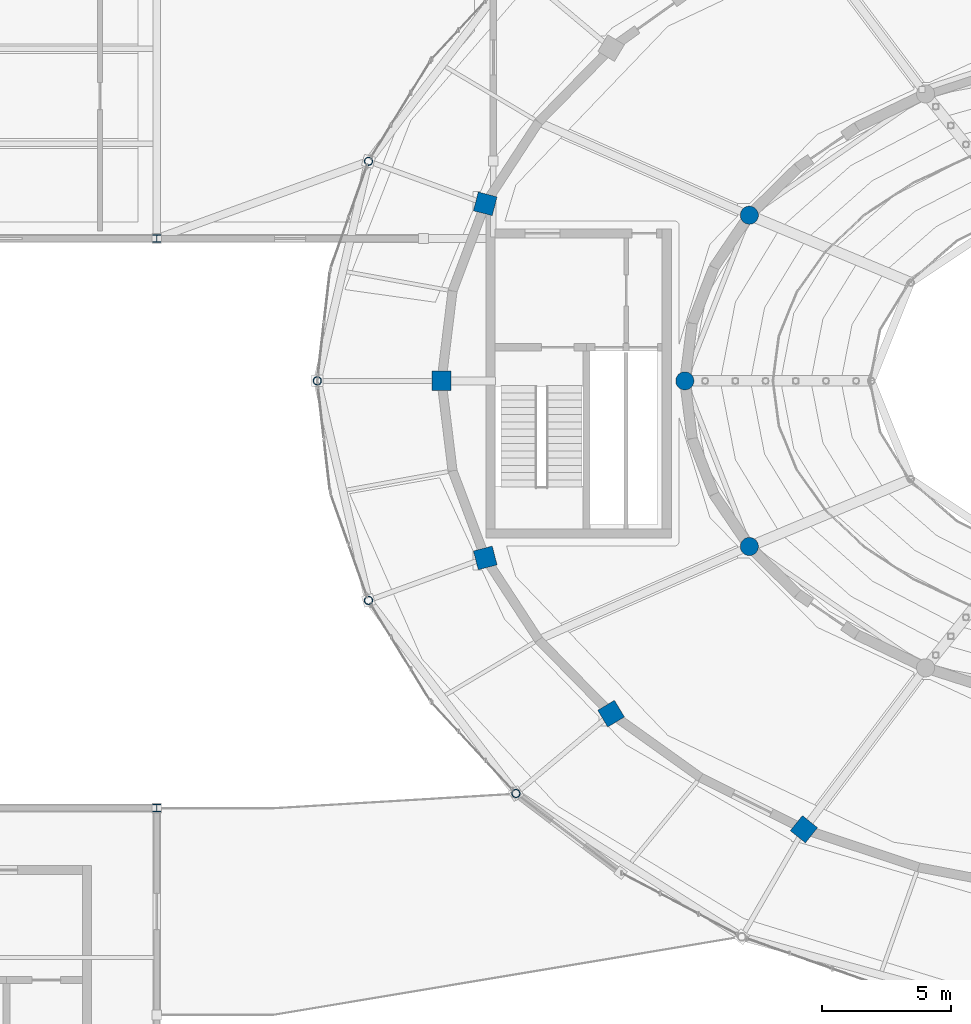
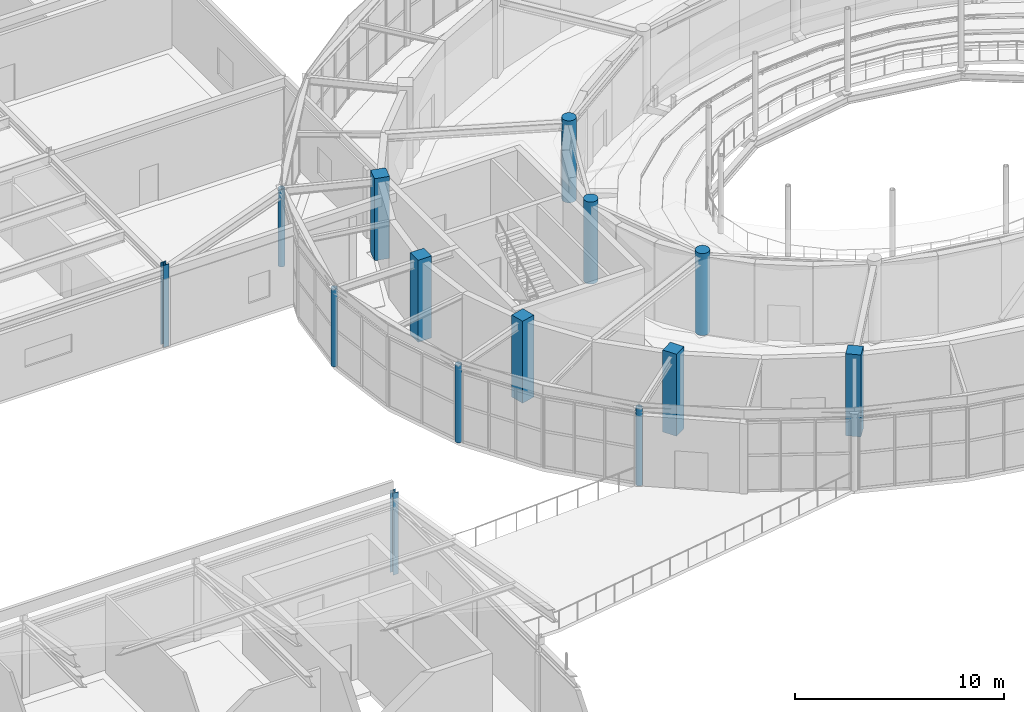
# One storey, part 4 of 108: 14 columns.
"""IFC4 building model written with IfcOpenShell, lengths in metres."""

from ifc_helpers import new_model, si_unit, direction, frame, origin, origin_2d, place, context, subcontext, project, spatial, rectangle, circle, hollow_circle, i_section, extrude, material, material_profile, profile_set, type_object, element, save


model = new_model("IFC4")

# Units and contexts
model_context = context("Model", 3, precision=1e-05, world=origin(), true_north=direction((0.0, 1.0)))
body_context = subcontext(model_context, "Body", "Model", "MODEL_VIEW")
ifc_project = project(units=[si_unit("LENGTHUNIT", "METRE"), si_unit("AREAUNIT", "SQUARE_METRE"), si_unit("VOLUMEUNIT", "CUBIC_METRE"), si_unit("PLANEANGLEUNIT", "RADIAN"), si_unit("MASSUNIT", "GRAM", prefix="KILO")], contexts=[model_context])

# Site, building, storey
site_placement = place(None, origin())
site = spatial("IfcSite", under=ifc_project, at=site_placement, CompositionType="ELEMENT")
building_placement = place(site_placement, origin())
building = spatial("IfcBuilding", under=site, at=building_placement, Name="Tarnveldt Headland Concert Hall", CompositionType="ELEMENT")
storey_placement = place(building_placement, frame((0.0, 0.0, 9.60009765625)))
storey = spatial("IfcBuildingStorey", under=building, at=storey_placement, Name="L02", CompositionType="ELEMENT", Elevation=9.60009765625)

# Columns
ifc_material_1 = material(Name="Concrete C40/50", Category="concrete")
ifc_material_profile_1 = material_profile(ifc_material_1, rectangle(XDim=0.75, YDim=0.75, at=origin_2d()), Name="RC 750x750", Category="concrete")
ifc_profile_set_1 = profile_set([ifc_material_profile_1], Name="Concrete C40/50")
column_type_1 = type_object("IfcColumnType", Name="CC-750", PredefinedType="COLUMN", material=ifc_profile_set_1)
for number, where, z_axis, x_axis, name in (
    (1, (57.188720703125, 61.34033203125, 0.0), (0.0, 0.0, 1.0), (-0.967841021032, 0.251562632376, 0.0), "Column V2DC09 L02"),
    (2, (55.5, 54.5, 0.0), (0.0, 0.0, 1.0), (-1.0, 0.0, 0.0), "Column V2DC10 L02"),
    (3, (57.188720703125, 47.65966796875, 0.0), (0.0, 0.0, 1.0), (-0.967841021032, -0.251562632376, 0.0), "Column V2DC11 L02"),
    (4, (62.05078125, 41.644287109375, 0.0), (0.0, 0.0, 1.0), (-0.85770617722, -0.514140169175, 0.0), "Column V2DC12 L02"),
    (5, (69.5, 37.179443359375, 0.0), (0.0, 0.0, 1.0), (-0.628641963719, -0.777694851116, 0.0), "Column V2DC13 L02"),
):
    element("IfcColumn", number, at=place(storey_placement, frame(where, z_axis=z_axis, x_axis=x_axis)), inside=storey, type_object=column_type_1, Name=name, PredefinedType="COLUMN", context=body_context, shape_type="SweptSolid", body=[
        extrude(rectangle(XDim=0.75, YDim=0.75, at=origin_2d()), origin(), (0.0, 0.0, 1.0), 4.7998046875),
    ])
ifc_material_profile_2 = material_profile(ifc_material_1, circle(Radius=0.35009765625, at=origin_2d()), Name="RC D700", Category="concrete")
ifc_profile_set_2 = profile_set([ifc_material_profile_2], Name="Concrete C40/50")
column_type_2 = type_object("IfcColumnType", Name="DC-700", PredefinedType="COLUMN", material=ifc_profile_set_2)
for number, where, z_axis, x_axis, name in (
    (6, (67.391845703125, 60.89990234375, 0.0), (0.0, 0.0, 1.0), (-0.929326043111, 0.369260213935, 0.0), "Column V2IC06 L02"),
    (7, (64.89990234375, 54.5, 0.0), (0.0, 0.0, 1.0), (-1.0, 0.0, 0.0), "Column V2IC07 L02"),
    (8, (67.391845703125, 48.10009765625, 0.0), (0.0, 0.0, 1.0), (-0.929326043111, -0.369260213935, 0.0), "Column V2IC08 L02"),
):
    element("IfcColumn", number, at=place(storey_placement, frame(where, z_axis=z_axis, x_axis=x_axis)), inside=storey, type_object=column_type_2, Name=name, PredefinedType="COLUMN", context=body_context, shape_type="SweptSolid", body=[
        extrude(circle(Radius=0.35009765625, at=origin_2d()), origin(), (0.0, 0.0, 1.0), 4.7998046875),
    ])
ifc_material_2 = material(Name="Steel S355", Category="steel")
ifc_material_profile_3 = material_profile(ifc_material_2, hollow_circle(Radius=0.161865234375, WallThickness=0.02001953125, at=origin_2d()), Name="CHS 323.9x20", Category="steel")
ifc_profile_set_3 = profile_set([ifc_material_profile_3], Name="Steel S355")
column_type_3 = type_object("IfcColumnType", Name="SC-CHS323", PredefinedType="COLUMN", material=ifc_profile_set_3)
for number, where, z_axis, x_axis, name in (
    (9, (52.677978515625, 62.982177734375, 0.0), (0.0, 0.0, 1.0), (-0.964141737836, 0.265387847052, 0.0), "Column V1C09 L02"),
    (10, (50.699951171875, 54.5, 0.0), (0.0, 0.0, 1.0), (-1.0, 0.0, 0.0), "Column V1C10 L02"),
    (11, (52.677978515625, 46.017822265625, 0.0), (0.0, 0.0, 1.0), (-0.964141737836, -0.265387847052, 0.0), "Column V1C11 L02"),
    (12, (58.373779296875, 38.558837890625, 0.0), (0.0, 0.0, 1.0), (-0.84442143206, -0.535679423796, 0.0), "Column V1C12 L02"),
):
    element("IfcColumn", number, at=place(storey_placement, frame(where, z_axis=z_axis, x_axis=x_axis)), inside=storey, type_object=column_type_3, Name=name, PredefinedType="COLUMN", context=body_context, shape_type="SweptSolid", body=[
        extrude(hollow_circle(Radius=0.161865234375, WallThickness=0.02001953125, at=origin_2d()), origin(), (0.0, 0.0, 1.0), 4.5498046875),
    ])
ifc_material_profile_4 = material_profile(ifc_material_2, i_section(OverallWidth=0.300048828125, OverallDepth=0.2900390625, WebThickness=0.008544921875, FlangeThickness=0.013916015625, FilletRadius=0.027099609375, at=origin_2d()), Name="HEA300", Category="steel")
ifc_profile_set_4 = profile_set([ifc_material_profile_4], Name="Steel S355")
column_type_4 = type_object("IfcColumnType", Name="SC-HEA300", PredefinedType="COLUMN", material=ifc_profile_set_4)
column_1_placement = place(storey_placement, frame((44.5, 38.0, 0.0), z_axis=(0.0, 0.0, 1.0), x_axis=(1.0, 0.0, 0.0)))
element("IfcColumn", 13, at=column_1_placement, inside=storey, type_object=column_type_4, Name="Column V4C08 L02", PredefinedType="COLUMN", context=body_context, shape_type="SweptSolid", body=[
    extrude(i_section(OverallWidth=0.300048828125, OverallDepth=0.2900390625, WebThickness=0.008544921875, FlangeThickness=0.013916015625, FilletRadius=0.027099609375, at=origin_2d()), origin(), (0.0, 0.0, 1.0), 4.7998046875),
])
ifc_material_profile_5 = material_profile(ifc_material_2, i_section(OverallWidth=0.300048828125, OverallDepth=0.300048828125, WebThickness=0.010986328125, FlangeThickness=0.01904296875, FilletRadius=0.027099609375, at=origin_2d()), Name="HEB300", Category="steel")
ifc_profile_set_5 = profile_set([ifc_material_profile_5], Name="Steel S355")
column_type_5 = type_object("IfcColumnType", Name="SC-HEB300", PredefinedType="COLUMN", material=ifc_profile_set_5)
column_2_placement = place(storey_placement, frame((44.5, 60.0, 0.0), z_axis=(0.0, 0.0, 1.0), x_axis=(1.0, 0.0, 0.0)))
element("IfcColumn", 14, at=column_2_placement, inside=storey, type_object=column_type_5, Name="Column V5C16 L02", PredefinedType="COLUMN", context=body_context, shape_type="SweptSolid", body=[
    extrude(i_section(OverallWidth=0.300048828125, OverallDepth=0.300048828125, WebThickness=0.010986328125, FlangeThickness=0.01904296875, FilletRadius=0.027099609375, at=origin_2d()), origin(), (0.0, 0.0, 1.0), 4.7998046875),
])

save(model, "model.ifc")
